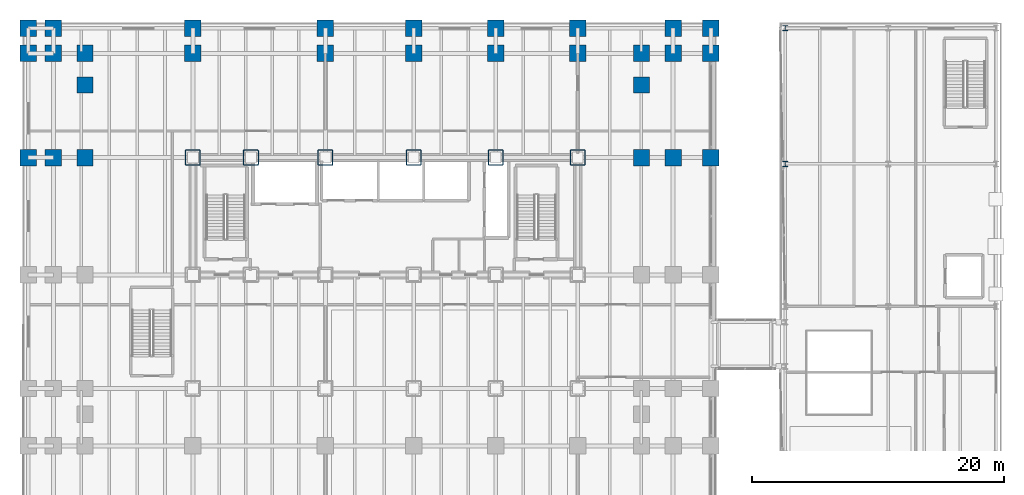
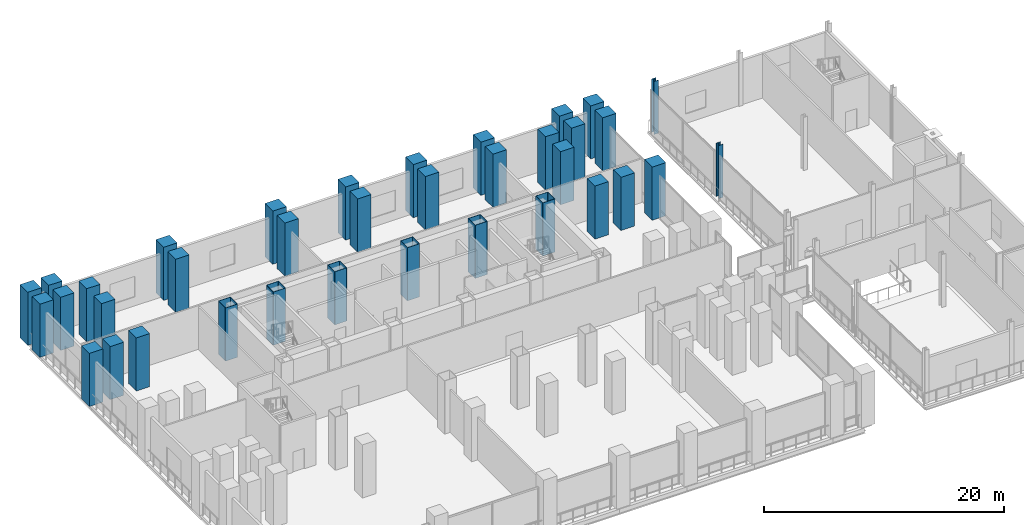
# One storey, part 2 of 31: 36 columns.
"""IFC4 building model written with IfcOpenShell, lengths in metres."""

import ifcopenshell
import ifcopenshell.guid

model = None  # the IFC model being written
_history = None  # IfcOwnerHistory: only IFC2X3 demands one
_inside = {}  # id of a spatial element -> (the spatial element, [elements in it])
_under = {}  # id of a project, library or spatial element -> (it, [spatial elements below it])
_declared = {}  # id of a project -> (the project, [libraries it declares])
_typed = {}  # id of a type object -> (the type object, [elements of that type])
_made_of = {}  # id of a material, layer set ... -> (it, [elements and type objects made of it])


def new_model(schema):
    """Start an empty IFC model of exactly this schema.

    Asked for "IFC4X3", IfcOpenShell would pick the latest addendum, in which some entities
    have other attributes; the version numbers below select the first issue.
    IFC2X3 requires an IfcOwnerHistory on every rooted entity: one is made here for all.
    """
    global model, _history
    if schema == "IFC4X3":
        model = ifcopenshell.file(schema_version=(4, 3, 0, 0))
    else:
        model = ifcopenshell.file(schema=schema)
    _inside.clear()
    _under.clear()
    _declared.clear()
    _typed.clear()
    _made_of.clear()
    _history = None
    if model.schema == "IFC2X3":
        org = make("IfcOrganization", Name="unknown")
        user = make(
            "IfcPersonAndOrganization",
            ThePerson=make("IfcPerson", FamilyName="unknown"),
            TheOrganization=org,
        )
        app = make(
            "IfcApplication",
            ApplicationDeveloper=org,
            Version="unknown",
            ApplicationFullName="unknown",
            ApplicationIdentifier="unknown",
        )
        _history = make(
            "IfcOwnerHistory",
            OwningUser=user,
            OwningApplication=app,
            ChangeAction="ADDED",
            CreationDate=0,
        )
    return model


def make(cls, **values):
    """One entity of the class cls with the attributes given. An attribute that is None is left unset."""
    return model.create_entity(
        cls, **{name: value for name, value in values.items() if value is not None}
    )


def rooted(cls, **values):
    """An entity with a GlobalId (a new one), such as an element, a storey or a relation."""
    return make(cls, GlobalId=ifcopenshell.guid.new(), OwnerHistory=_history, **values)


def si_unit(unit_type, name, prefix=None):
    """IfcSIUnit, for example si_unit("LENGTHUNIT", "METRE", prefix="MILLI")."""
    return make("IfcSIUnit", UnitType=unit_type, Prefix=prefix, Name=name)


def assignment(units):
    """IfcUnitAssignment: the units of a project."""
    return None if units is None else make("IfcUnitAssignment", Units=units)


def point(xyz):
    """IfcCartesianPoint."""
    return None if xyz is None else make("IfcCartesianPoint", Coordinates=xyz)


def direction(xyz):
    """IfcDirection."""
    return None if xyz is None else make("IfcDirection", DirectionRatios=xyz)


def frame(location, z_axis=None, x_axis=None):
    """IfcAxis2Placement3D, a coordinate frame: its origin and axes. An axis left out is left unset."""
    return make(
        "IfcAxis2Placement3D",
        Location=point(location),
        Axis=direction(z_axis),
        RefDirection=direction(x_axis),
    )


def frame_2d(location, x_axis=None):
    """IfcAxis2Placement2D, a coordinate frame in the plane: its origin and x axis."""
    return make(
        "IfcAxis2Placement2D", Location=point(location), RefDirection=direction(x_axis)
    )


def origin():
    """The frame at (0, 0, 0) with its axes left unset."""
    return frame((0.0, 0.0, 0.0))


def origin_2d():
    """The frame at (0, 0) in the plane with its x axis left unset."""
    return frame_2d((0.0, 0.0))


def place(relative_to, where):
    """IfcLocalPlacement: puts the frame where relative to a parent placement (None: the world)."""
    return make(
        "IfcLocalPlacement", PlacementRelTo=relative_to, RelativePlacement=where
    )


def context(
    kind, dimensions, precision=None, world=None, true_north=None, identifier=None
):
    """IfcGeometricRepresentationContext, for example the 3D "Model" context."""
    return make(
        "IfcGeometricRepresentationContext",
        ContextIdentifier=identifier,
        ContextType=kind,
        CoordinateSpaceDimension=dimensions,
        Precision=precision,
        WorldCoordinateSystem=world,
        TrueNorth=true_north,
    )


def subcontext(parent, identifier, kind, view, scale=None):
    """IfcGeometricRepresentationSubContext, for example "Body" below "Model"."""
    return make(
        "IfcGeometricRepresentationSubContext",
        ContextIdentifier=identifier,
        ContextType=kind,
        ParentContext=parent,
        TargetScale=scale,
        TargetView=view,
    )


def project(units=None, contexts=None):
    """IfcProject with its units and contexts."""
    return rooted(
        "IfcProject",
        Name="project",
        RepresentationContexts=contexts,
        UnitsInContext=assignment(units),
    )


def spatial(cls, under=None, at=None, **own):
    """A site, building, storey or space (cls), placed at a placement, below another one or the project."""
    s = rooted(cls, ObjectPlacement=at, **own)
    if under is not None:
        _under.setdefault(under.id(), (under, []))[1].append(s)
    return s


def profile(cls, at=None, kind="AREA", **sizes):
    """A parametric profile (cls). Its sizes go by their IFC names, for example OverallWidth=200.0."""
    return make(cls, ProfileType=kind, Position=at, **sizes)


def rectangle(**sizes):
    """IfcRectangleProfileDef."""
    return profile("IfcRectangleProfileDef", **sizes)


def hollow_rectangle(**sizes):
    """IfcRectangleHollowProfileDef."""
    return profile("IfcRectangleHollowProfileDef", **sizes)


def i_section(**sizes):
    """IfcIShapeProfileDef."""
    return profile("IfcIShapeProfileDef", **sizes)


def extrude(swept, where, along, depth):
    """IfcExtrudedAreaSolid: the profile swept, set in the frame where, extruded along a direction by depth."""
    return make(
        "IfcExtrudedAreaSolid",
        SweptArea=swept,
        Position=where,
        ExtrudedDirection=direction(along),
        Depth=depth,
    )


def shape(context_of_items, identifier, shape_type, items):
    """IfcShapeRepresentation: the items that make up one representation, for example the "Body"."""
    return make(
        "IfcShapeRepresentation",
        ContextOfItems=context_of_items,
        RepresentationIdentifier=identifier,
        RepresentationType=shape_type,
        Items=items,
    )


def material(Name=None, Category=None):
    """IfcMaterial."""
    return make("IfcMaterial", Name=Name, Category=Category)


def material_profile(
    of_material, cross_section, Name=None, Category=None, Priority=None
):
    """IfcMaterialProfile: a cross section and its material."""
    return make(
        "IfcMaterialProfile",
        Name=Name,
        Material=of_material,
        Profile=cross_section,
        Priority=Priority,
        Category=Category,
    )


def profile_set(profiles, Name=None, composite=None):
    """IfcMaterialProfileSet."""
    return make(
        "IfcMaterialProfileSet",
        Name=Name,
        MaterialProfiles=profiles,
        CompositeProfile=composite,
    )


def made_of(thing, what):
    """Note that an element or type object is made of a material, layer set ...; save() writes the relation."""
    if what is not None:
        _made_of.setdefault(what.id(), (what, []))[1].append(thing)
    return thing


def type_object(cls, material=None, **own):
    """A type object (cls), such as IfcWallType, which elements share."""
    return made_of(rooted(cls, **own), material)


def element(
    cls,
    number,
    at=None,
    inside=None,
    cuts=None,
    type_object=None,
    material=None,
    context=None,
    identifier="Body",
    shape_type=None,
    held_by="IfcProductDefinitionShape",
    body=None,
    shapes=None,
    **own,
):
    """One element of the class cls, such as IfcWall. Its Tag is "e" and its number.

    at: its placement. inside: the storey or other place that contains it. cuts: it is an
    opening in that element (IfcRelVoidsElement). A single representation is given by context,
    identifier, shape_type and body (its items); several are given by shapes. held_by: the class
    of the entity that holds the representations. save() writes the other relations.
    """
    e = rooted(cls, Tag="e%d" % number, ObjectPlacement=at, **own)
    if body is not None:
        shapes = [shape(context, identifier, shape_type, body)]
    if shapes is not None:
        e.Representation = make(held_by, Representations=shapes)
    if inside is not None:
        _inside.setdefault(inside.id(), (inside, []))[1].append(e)
    if cuts is not None:
        rooted(
            "IfcRelVoidsElement", RelatingBuildingElement=cuts, RelatedOpeningElement=e
        )
    if type_object is not None:
        _typed.setdefault(type_object.id(), (type_object, []))[1].append(e)
    return made_of(e, material)


def aggregate(whole, parts):
    """IfcRelAggregates: a whole, such as a stair, and the parts it consists of."""
    return rooted("IfcRelAggregates", RelatingObject=whole, RelatedObjects=parts)


def save(model, path):
    """Write the relations noted so far, then the file.

    IfcRelAggregates (storeys below a building ...), IfcRelContainedInSpatialStructure (elements
    in a storey), IfcRelDefinesByType, IfcRelAssociatesMaterial and IfcRelDeclares: one each for
    every whole, place, type object, material and project.
    """
    for whole, parts in _under.values():
        aggregate(whole, parts)
    for where, things in _inside.values():
        rooted(
            "IfcRelContainedInSpatialStructure",
            RelatedElements=things,
            RelatingStructure=where,
        )
    for kind, things in _typed.values():
        rooted("IfcRelDefinesByType", RelatedObjects=things, RelatingType=kind)
    for what, things in _made_of.values():
        rooted("IfcRelAssociatesMaterial", RelatedObjects=things, RelatingMaterial=what)
    for by, libraries in _declared.values():
        rooted("IfcRelDeclares", RelatingContext=by, RelatedDefinitions=libraries)
    model.write(path)


model = new_model("IFC4")

# Units and contexts
model_context = context("Model", 3, precision=1e-05, world=origin(), true_north=direction((0.0, 1.0)))
body_context = subcontext(model_context, "Body", "Model", "MODEL_VIEW")
ifc_project = project(units=[si_unit("LENGTHUNIT", "METRE"), si_unit("AREAUNIT", "SQUARE_METRE"), si_unit("VOLUMEUNIT", "CUBIC_METRE"), si_unit("PLANEANGLEUNIT", "RADIAN"), si_unit("MASSUNIT", "GRAM", prefix="KILO")], contexts=[model_context])

# Site, building, storey
site_placement = place(None, origin())
site = spatial("IfcSite", under=ifc_project, at=site_placement, CompositionType="ELEMENT")
building_placement = place(site_placement, origin())
building = spatial("IfcBuilding", under=site, at=building_placement, Name="Noeulbin Bourse Tower", CompositionType="ELEMENT")
storey_placement = place(building_placement, frame((0.0, 0.0, 11.199951171875)))
storey = spatial("IfcBuildingStorey", under=building, at=storey_placement, Name="L03", CompositionType="ELEMENT", Elevation=11.199951171875)

# Columns
ifc_material_1 = material(Name="Steel S355", Category="steel")
ifc_material_profile_1 = material_profile(ifc_material_1, i_section(OverallWidth=0.406982421875, OverallDepth=0.427978515625, WebThickness=0.02001953125, FlangeThickness=0.034912109375, FilletRadius=0.02197265625, at=origin_2d()), Name="H-428x407x20x35", Category="LoadBearing")
ifc_profile_set_1 = profile_set([ifc_material_profile_1], Name="Steel S355")
column_type_1 = type_object("IfcColumnType", Name="COL-MKT-ST", PredefinedType="COLUMN", material=ifc_profile_set_1)
for number, where, z_axis, x_axis, name in (
    (1, (60.449951171875, 37.800048828125, 0.0), (0.0, 0.0, 1.0), (1.0, 0.0, 0.0), "Market Hall Column COL-MKT-ST 06"),
    (2, (60.449951171875, 48.550048828125, 0.0), (0.0, 0.0, 1.0), (1.0, 0.0, 0.0), "Market Hall Column COL-MKT-ST 07"),
):
    element("IfcColumn", number, at=place(storey_placement, frame(where, z_axis=z_axis, x_axis=x_axis)), inside=storey, type_object=column_type_1, Name=name, PredefinedType="COLUMN", context=body_context, shape_type="SweptSolid", body=[
        extrude(i_section(OverallWidth=0.406982421875, OverallDepth=0.427978515625, WebThickness=0.02001953125, FlangeThickness=0.034912109375, FilletRadius=0.02197265625, at=origin_2d()), origin(), (0.0, 0.0, 1.0), 5.400146484375),
    ])
ifc_material_2 = material(Name="Concrete C60/75", Category="concrete")
ifc_material_profile_2 = material_profile(ifc_material_2, rectangle(XDim=1.300048828125, YDim=1.300048828125, at=origin_2d()), Name="RC-COL-1300x1300", Category="LoadBearing")
ifc_profile_set_2 = profile_set([ifc_material_profile_2], Name="Concrete C60/75")
column_type_2 = type_object("IfcColumnType", Name="COL-POD-RC", PredefinedType="COLUMN", material=ifc_profile_set_2)
for number, where, z_axis, x_axis, name in (
    (3, (0.449951171875, 38.300048828125, 0.0), (0.0, 0.0, 1.0), (1.0, 0.0, 0.0), "Podium Column COL-POD-RC 05"),
    (4, (0.449951171875, 46.550048828125, 0.0), (0.0, 0.0, 1.0), (1.0, 0.0, 0.0), "Podium Column COL-POD-RC 06"),
    (5, (0.449951171875, 48.550048828125, 0.0), (0.0, 0.0, 1.0), (1.0, 0.0, 0.0), "Podium Column COL-POD-RC 07"),
    (6, (2.449951171875, 38.300048828125, 0.0), (0.0, 0.0, 1.0), (1.0, 0.0, 0.0), "Podium Column COL-POD-RC 12"),
    (7, (2.449951171875, 46.550048828125, 0.0), (0.0, 0.0, 1.0), (1.0, 0.0, 0.0), "Podium Column COL-POD-RC 13"),
    (8, (2.449951171875, 48.550048828125, 0.0), (0.0, 0.0, 1.0), (1.0, 0.0, 0.0), "Podium Column COL-POD-RC 14"),
    (9, (4.949951171875, 38.300048828125, 0.0), (0.0, 0.0, 1.0), (1.0, 0.0, 0.0), "Podium Column COL-POD-RC 19"),
    (10, (4.949951171875, 44.050048828125, 0.0), (0.0, 0.0, 1.0), (1.0, 0.0, 0.0), "Podium Column COL-POD-RC 20"),
    (11, (4.949951171875, 46.550048828125, 0.0), (0.0, 0.0, 1.0), (1.0, 0.0, 0.0), "Podium Column COL-POD-RC 21"),
    (12, (13.5, 46.550048828125, 0.0), (0.0, 0.0, 1.0), (1.0, 0.0, 0.0), "Podium Column COL-POD-RC 24"),
    (13, (13.5, 48.550048828125, 0.0), (0.0, 0.0, 1.0), (1.0, 0.0, 0.0), "Podium Column COL-POD-RC 25"),
    (14, (24.0, 46.550048828125, 0.0), (0.0, 0.0, 1.0), (1.0, 0.0, 0.0), "Podium Column COL-POD-RC 28"),
    (15, (24.0, 48.550048828125, 0.0), (0.0, 0.0, 1.0), (1.0, 0.0, 0.0), "Podium Column COL-POD-RC 29"),
    (16, (31.0, 46.550048828125, 0.0), (0.0, 0.0, 1.0), (1.0, 0.0, 0.0), "Podium Column COL-POD-RC 32"),
    (17, (31.0, 48.550048828125, 0.0), (0.0, 0.0, 1.0), (1.0, 0.0, 0.0), "Podium Column COL-POD-RC 33"),
    (18, (37.5, 46.550048828125, 0.0), (0.0, 0.0, 1.0), (1.0, 0.0, 0.0), "Podium Column COL-POD-RC 36"),
    (19, (37.5, 48.550048828125, 0.0), (0.0, 0.0, 1.0), (1.0, 0.0, 0.0), "Podium Column COL-POD-RC 37"),
    (20, (44.0, 46.550048828125, 0.0), (0.0, 0.0, 1.0), (1.0, 0.0, 0.0), "Podium Column COL-POD-RC 40"),
    (21, (44.0, 48.550048828125, 0.0), (0.0, 0.0, 1.0), (1.0, 0.0, 0.0), "Podium Column COL-POD-RC 41"),
    (22, (49.050048828125, 38.300048828125, 0.0), (0.0, 0.0, 1.0), (1.0, 0.0, 0.0), "Podium Column COL-POD-RC 46"),
    (23, (49.050048828125, 44.050048828125, 0.0), (0.0, 0.0, 1.0), (1.0, 0.0, 0.0), "Podium Column COL-POD-RC 47"),
    (24, (49.050048828125, 46.550048828125, 0.0), (0.0, 0.0, 1.0), (1.0, 0.0, 0.0), "Podium Column COL-POD-RC 48"),
    (25, (51.550048828125, 38.300048828125, 0.0), (0.0, 0.0, 1.0), (1.0, 0.0, 0.0), "Podium Column COL-POD-RC 53"),
    (26, (51.550048828125, 46.550048828125, 0.0), (0.0, 0.0, 1.0), (1.0, 0.0, 0.0), "Podium Column COL-POD-RC 54"),
    (27, (51.550048828125, 48.550048828125, 0.0), (0.0, 0.0, 1.0), (1.0, 0.0, 0.0), "Podium Column COL-POD-RC 55"),
    (28, (54.550048828125, 38.300048828125, 0.0), (0.0, 0.0, 1.0), (1.0, 0.0, 0.0), "Podium Column COL-POD-RC 60"),
    (29, (54.550048828125, 46.550048828125, 0.0), (0.0, 0.0, 1.0), (1.0, 0.0, 0.0), "Podium Column COL-POD-RC 61"),
    (30, (54.550048828125, 48.550048828125, 0.0), (0.0, 0.0, 1.0), (1.0, 0.0, 0.0), "Podium Column COL-POD-RC 62"),
):
    element("IfcColumn", number, at=place(storey_placement, frame(where, z_axis=z_axis, x_axis=x_axis)), inside=storey, type_object=column_type_2, Name=name, PredefinedType="COLUMN", context=body_context, shape_type="SweptSolid", body=[
        extrude(rectangle(XDim=1.300048828125, YDim=1.300048828125, at=origin_2d()), origin(), (0.0, 0.0, 1.0), 5.400146484375),
    ])
ifc_material_3 = material(Name="Steel S460", Category="steel")
ifc_material_profile_3 = material_profile(ifc_material_3, hollow_rectangle(XDim=1.199951171875, YDim=1.199951171875, WallThickness=0.0400390625, InnerFilletRadius=0.02001953125, OuterFilletRadius=0.06005859375, at=origin_2d()), Name="BOX-1200x1200x40", Category="LoadBearing")
ifc_profile_set_3 = profile_set([ifc_material_profile_3], Name="Steel S460")
column_type_3 = type_object("IfcColumnType", Name="COL-TRK-Z0", PredefinedType="COLUMN", material=ifc_profile_set_3)
for number, where, z_axis, x_axis, name in (
    (31, (13.5, 38.300048828125, 0.0), (0.0, 0.0, 1.0), (1.0, 0.0, 0.0), "Tower Trunk Mega-Column COL-TRK-Z0 02"),
    (32, (18.10009765625, 38.300048828125, 0.0), (0.0, 0.0, 1.0), (1.0, 0.0, 0.0), "Tower Trunk Mega-Column COL-TRK-Z0 04"),
    (33, (24.0, 38.300048828125, 0.0), (0.0, 0.0, 1.0), (1.0, 0.0, 0.0), "Tower Trunk Mega-Column COL-TRK-Z0 06"),
    (34, (31.0, 38.300048828125, 0.0), (0.0, 0.0, 1.0), (1.0, 0.0, 0.0), "Tower Trunk Mega-Column COL-TRK-Z0 08"),
    (35, (37.5, 38.300048828125, 0.0), (0.0, 0.0, 1.0), (1.0, 0.0, 0.0), "Tower Trunk Mega-Column COL-TRK-Z0 10"),
    (36, (44.0, 38.300048828125, 0.0), (0.0, 0.0, 1.0), (1.0, 0.0, 0.0), "Tower Trunk Mega-Column COL-TRK-Z0 12"),
):
    element("IfcColumn", number, at=place(storey_placement, frame(where, z_axis=z_axis, x_axis=x_axis)), inside=storey, type_object=column_type_3, Name=name, PredefinedType="COLUMN", context=body_context, shape_type="SweptSolid", body=[
        extrude(hollow_rectangle(XDim=1.199951171875, YDim=1.199951171875, WallThickness=0.0400390625, InnerFilletRadius=0.02001953125, OuterFilletRadius=0.06005859375, at=origin_2d()), origin(), (0.0, 0.0, 1.0), 5.400146484375),
    ])

save(model, "model.ifc")
